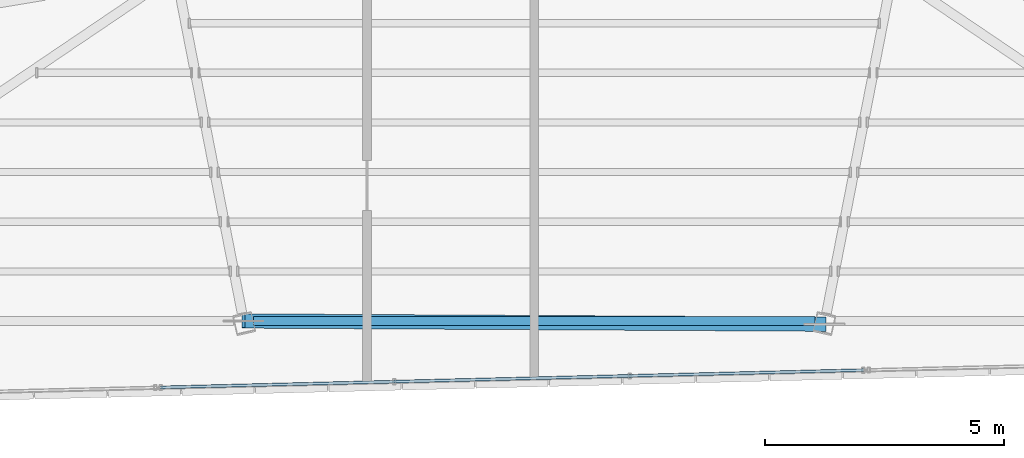
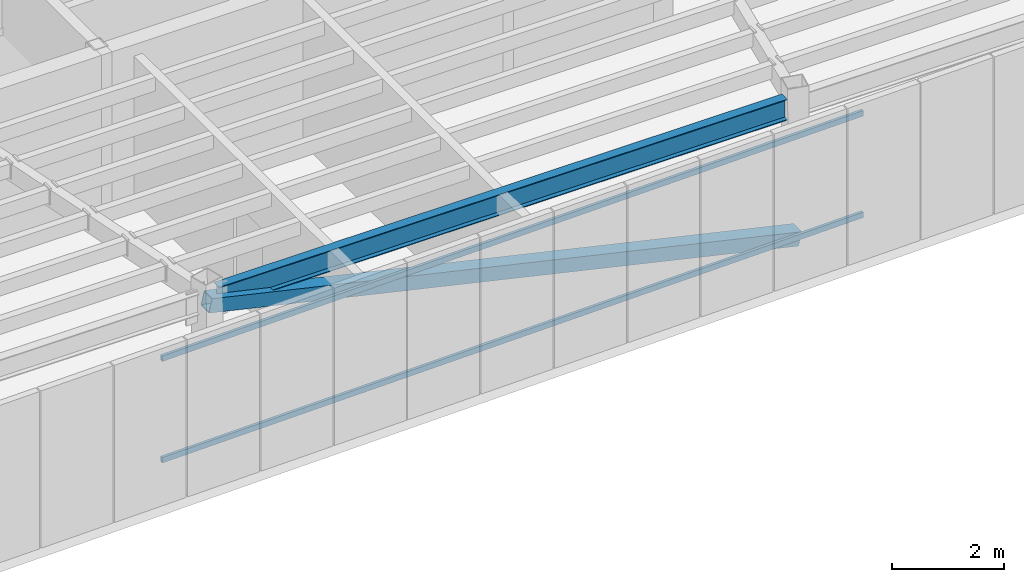
# One storey, part 12 of 47: 3 members, 1 beam, 1 element without a shape of its own.
"""IFC4 building model written with IfcOpenShell, lengths in metres."""

from ifc_helpers import new_model, si_unit, direction, frame, origin, origin_2d, place, context, subcontext, project, spatial, hollow_rectangle, i_section, extrude, source, transform, mapped, material, material_profile, profile_set, type_object, type_shapes, element, aggregate, save


model = new_model("IFC4")

# Units and contexts
model_context = context("Model", 3, precision=1e-05, world=origin(), true_north=direction((0.0, 1.0)))
body_context = subcontext(model_context, "Body", "Model", "MODEL_VIEW")
ifc_project = project(units=[si_unit("LENGTHUNIT", "METRE"), si_unit("AREAUNIT", "SQUARE_METRE"), si_unit("VOLUMEUNIT", "CUBIC_METRE"), si_unit("PLANEANGLEUNIT", "RADIAN"), si_unit("MASSUNIT", "GRAM", prefix="KILO")], contexts=[model_context])

# Site, building, storey
site_placement = place(None, origin())
site = spatial("IfcSite", under=ifc_project, at=site_placement, CompositionType="ELEMENT")
building_placement = place(site_placement, origin())
building = spatial("IfcBuilding", under=site, at=building_placement, Name="Caelisora Broadcast Tower", CompositionType="ELEMENT")
storey_placement = place(building_placement, frame((0.0, 0.0, 293.199951171875)))
storey = spatial("IfcBuildingStorey", under=building, at=storey_placement, Name="L77", CompositionType="ELEMENT", Elevation=293.199951171875)

# Beam
ifc_material_1 = material(Name="Steel Grade 350 (AS/NZS 3679.1)", Category="steel")
ifc_material_profile_1 = material_profile(ifc_material_1, i_section(OverallWidth=0.19091796875, OverallDepth=0.46044921875, WebThickness=0.010009765625, FlangeThickness=0.01611328125, at=origin_2d()), Name="Steel Grade 350 (AS/NZS 3679.1)")
ifc_profile_set_1 = profile_set([ifc_material_profile_1], Name="Steel Grade 350 (AS/NZS 3679.1)")
beam_type = type_object("IfcBeamType", Name="PG06", PredefinedType="BEAM", material=ifc_profile_set_1)
shared_shape_1 = source(origin(), body_context, "Body", "SweptSolid", [
    extrude(i_section(OverallWidth=0.19091796875, OverallDepth=0.46044921875, WebThickness=0.010009765625, FlangeThickness=0.01611328125, at=origin_2d()), origin(), (0.0, 0.0, 1.0), 11.75439453125),
])
type_shapes(beam_type, [shared_shape_1])
beam_placement = place(storey_placement, frame((32.122802734375, 10.128173828125, 2.919921875), z_axis=(1.0, 0.0, 0.0), x_axis=(0.0, 1.0, 0.0)))
element("IfcBeam", 1, at=beam_placement, inside=storey, type_object=beam_type, Name="L77 beam PG06", PredefinedType="BEAM", context=body_context, shape_type="MappedRepresentation", body=[
    mapped(shared_shape_1, transform((0.0, 0.0, 0.0), scale=1.0)),
])

# Member
ifc_material_2 = material(Name="Steel Grade 450 (AS/NZS 1163 C450L0)", Category="steel")
ifc_material_profile_2 = material_profile(ifc_material_2, hollow_rectangle(XDim=0.300048828125, YDim=0.300048828125, WallThickness=0.012451171875, at=origin_2d()), Name="Steel Grade 450 (AS/NZS 1163 C450L0)")
ifc_profile_set_2 = profile_set([ifc_material_profile_2], Name="Steel Grade 450 (AS/NZS 1163 C450L0)")
member_type_1 = type_object("IfcMemberType", Name="BR06", PredefinedType="BRACE", material=ifc_profile_set_2)
shared_shape_2 = source(origin(), body_context, "Body", "SweptSolid", [
    extrude(hollow_rectangle(XDim=0.300048828125, YDim=0.300048828125, WallThickness=0.012451171875, at=origin_2d()), origin(), (0.0, 0.0, 1.0), 12.46240234375),
])
type_shapes(member_type_1, [shared_shape_2])
member_1_placement = place(storey_placement, frame((31.914794921875, 10.128173828125, 2.85009765625), z_axis=(0.97533501231, -0.005406882588, -0.220663498075), x_axis=(0.005543530623, 0.999984634516, 0.0)))
element("IfcMember", 2, at=member_1_placement, inside=storey, type_object=member_type_1, Name="L77 perimeter brace BR06", PredefinedType="BRACE", context=body_context, shape_type="MappedRepresentation", body=[
    mapped(shared_shape_2, transform((0.0, 0.0, 0.0), scale=1.0)),
])

# Curtain wall, members
ifc_material_3 = material(Name="Unitised Aluminium Insulated Shadow-Box Spandrel Curtain Wall", Category="aluminium")
curtain_wall_type = type_object("IfcCurtainWallType", Name="CW-SP3", PredefinedType="NOTDEFINED", material=ifc_material_3)
curtain_wall_placement = place(storey_placement, origin())
curtain_wall = element("IfcCurtainWall", 3, at=curtain_wall_placement, inside=storey, type_object=curtain_wall_type, Name="L77 curtain wall CW-SP3", PredefinedType="NOTDEFINED")
ifc_material_4 = material(Name="Aluminium 6063-T6 Anodised Terracotta Bronze", Category="aluminium")
ifc_material_profile_3 = material_profile(ifc_material_4, hollow_rectangle(XDim=0.06005859375, YDim=0.1201171875, WallThickness=0.0029296875, at=origin_2d()), Name="Aluminium 6063-T6 Anodised Terracotta Bronze")
ifc_profile_set_3 = profile_set([ifc_material_profile_3], Name="Aluminium 6063-T6 Anodised Terracotta Bronze")
member_type_2 = type_object("IfcMemberType", Name="CWT-03", PredefinedType="USERDEFINED", material=ifc_profile_set_3)
shared_shape_3 = source(origin(), body_context, "Body", "SweptSolid", [
    extrude(hollow_rectangle(XDim=0.06005859375, YDim=0.1201171875, WallThickness=0.0029296875, at=origin_2d()), origin(), (0.0, 0.0, 1.0), 14.71435546875),
])
type_shapes(member_type_2, [shared_shape_3])
member_2_placement = place(storey_placement, frame((44.888916015625, 9.09912109375, 0.85009765625), z_axis=(-0.999697230516, -0.024605838692, 0.0), x_axis=(0.024605838692, -0.999697230516, 0.0)))
member_2 = element("IfcMember", 4, at=member_2_placement, type_object=member_type_2, Name="L77-CW-B06 transom #1", ObjectType="TRANSOM", PredefinedType="USERDEFINED", context=body_context, shape_type="MappedRepresentation", body=[
    mapped(shared_shape_3, transform((0.0, 0.0, 0.0), scale=1.0)),
])
member_3_placement = place(storey_placement, frame((44.888916015625, 9.09912109375, 3.070068359375), z_axis=(-0.999697230516, -0.024605838692, 0.0), x_axis=(0.024605838692, -0.999697230516, 0.0)))
member_3 = element("IfcMember", 5, at=member_3_placement, type_object=member_type_2, Name="L77-CW-B06 transom #2", ObjectType="TRANSOM", PredefinedType="USERDEFINED", context=body_context, shape_type="MappedRepresentation", body=[
    mapped(shared_shape_3, transform((0.0, 0.0, 0.0), scale=1.0)),
])
aggregate(curtain_wall, [member_2, member_3])

save(model, "model.ifc")
